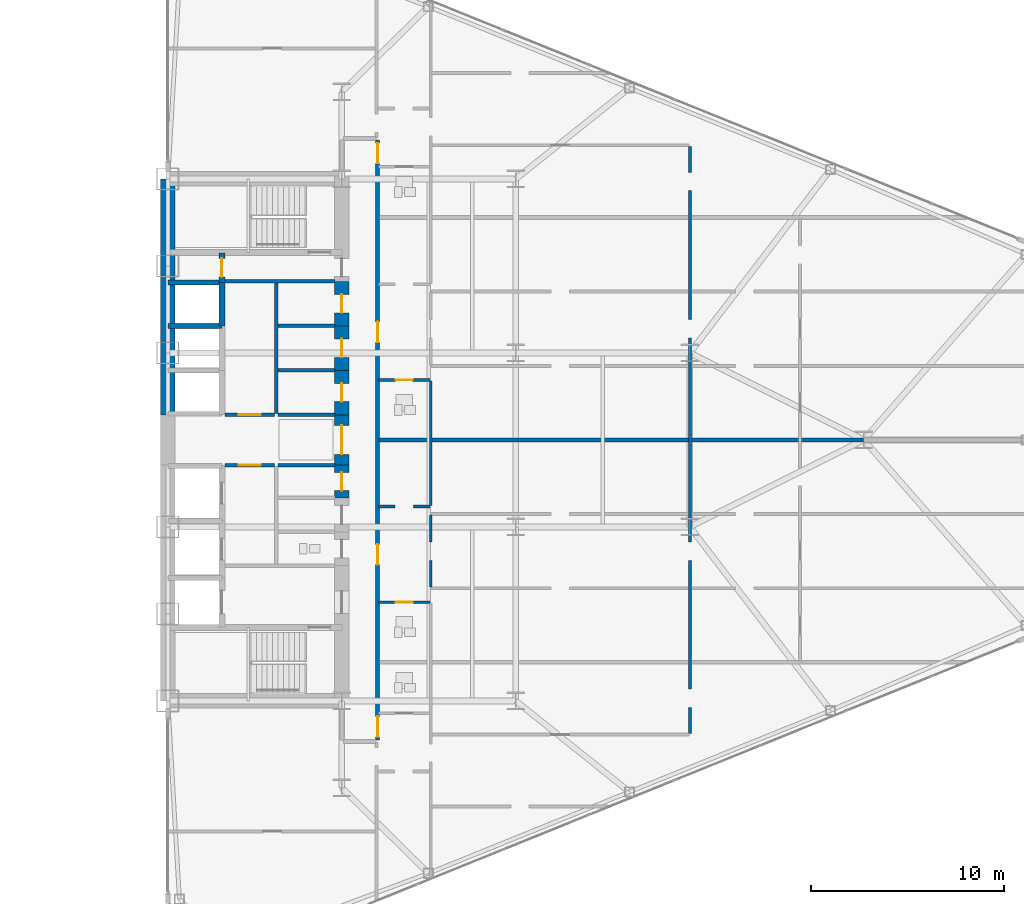
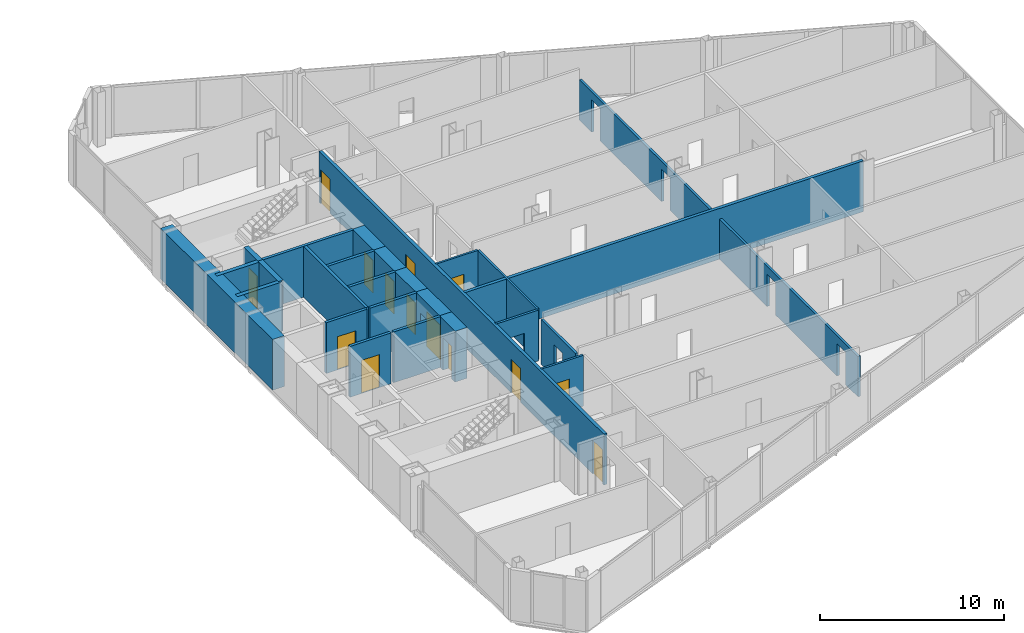
# One storey, part 21 of 25: 26 walls, 14 doors, 20 openings.
"""IFC4 building model written with IfcOpenShell, lengths in metres."""

from ifc_helpers import new_model, si_unit, direction, frame, frame_2d, origin, place, context, subcontext, project, spatial, rectangle, extrude, source, transform, mapped, material, layer, layer_set, type_object, type_shapes, element, fill, save


model = new_model("IFC4")

# Units and contexts
model_context = context("Model", 3, precision=1e-05, world=origin(), true_north=direction((0.0, 1.0)))
body_context = subcontext(model_context, "Body", "Model", "MODEL_VIEW")
ifc_project = project(units=[si_unit("LENGTHUNIT", "METRE"), si_unit("AREAUNIT", "SQUARE_METRE"), si_unit("VOLUMEUNIT", "CUBIC_METRE"), si_unit("PLANEANGLEUNIT", "RADIAN"), si_unit("MASSUNIT", "GRAM", prefix="KILO")], contexts=[model_context])

# Site, building, storey
site_placement = place(None, origin())
site = spatial("IfcSite", under=ifc_project, at=site_placement, CompositionType="ELEMENT")
building_placement = place(site_placement, origin())
building = spatial("IfcBuilding", under=site, at=building_placement, Name="Seokmaru Belvedere", CompositionType="ELEMENT")
storey_placement = place(building_placement, frame((0.0, 0.0, 36.89990234375)))
storey = spatial("IfcBuildingStorey", under=building, at=storey_placement, Name="L09", CompositionType="ELEMENT", Elevation=36.89990234375)

# Wall, opening
ifc_material_1 = material(Name="Fire-Rated Gypsum Shaftwall")
ifc_layer_1 = layer(ifc_material_1, 0.14990234375)
ifc_layer_set_1 = layer_set([ifc_layer_1], Name="Fire-Rated Gypsum Shaftwall")
wall_type_1 = type_object("IfcWallType", Name="Apartment Fire-Acoustic Room Partition 150", PredefinedType="PARTITIONING", material=ifc_layer_set_1)
wall_1_placement = place(storey_placement, frame((38.39990234375, -3.449951171875, 0.0), z_axis=(0.0, 0.0, 1.0), x_axis=(1.0, 0.0, 0.0)))
wall_1 = element("IfcWall", 1, at=wall_1_placement, inside=storey, type_object=wall_type_1, Name="L09 Interior Partition 021", PredefinedType="PARTITIONING", context=body_context, shape_type="SweptSolid", body=[
    extrude(rectangle(XDim=2.650146484375, YDim=0.14990234375, at=frame_2d((1.3251953125, 0.0))), origin(), (0.0, 0.0, 1.0), 3.380126953125),
])
opening_1_placement = place(wall_1_placement, frame((0.85009765625, 0.0, 0.0)))
element("IfcOpeningElement", 2, at=opening_1_placement, cuts=wall_1, Name="L09 Cased Opening 051", PredefinedType="OPENING", context=body_context, shape_type="SweptSolid", body=[
    extrude(rectangle(XDim=0.949951171875, YDim=2.14990234375, at=frame_2d((0.47509765625, 1.074951171875))), frame((0.0, 0.0849609375, 0.0), z_axis=(0.0, -1.0, 0.0), x_axis=(1.0, 0.0, 0.0)), (0.0, 0.0, 1.0), 0.169921875),
])

wall_2_placement = place(storey_placement, frame((41.10009765625, -7.616943359375, 0.0), z_axis=(0.0, 0.0, 1.0), x_axis=(0.0, 1.0, 0.0)))
wall_2 = element("IfcWall", 3, at=wall_2_placement, inside=storey, type_object=wall_type_1, Name="L09 Interior Partition 063", PredefinedType="PARTITIONING", context=body_context, shape_type="SweptSolid", body=[
    extrude(rectangle(XDim=3.73388671875, YDim=0.14990234375, at=frame_2d((1.866943359375, 0.0))), origin(), (0.0, 0.0, 1.0), 2.989990234375),
])
opening_2_placement = place(wall_2_placement, frame((1.39208984375, 0.0, 0.0)))
element("IfcOpeningElement", 4, at=opening_2_placement, cuts=wall_2, Name="L09 Cased Opening 052", PredefinedType="OPENING", context=body_context, shape_type="SweptSolid", body=[
    extrude(rectangle(XDim=0.949951171875, YDim=2.14990234375, at=frame_2d((0.47509765625, 1.074951171875))), frame((0.0, 0.0849609375, 0.0), z_axis=(0.0, -1.0, 0.0), x_axis=(1.0, 0.0, 0.0)), (0.0, 0.0, 1.0), 0.169921875),
])

# Wall, openings
wall_3_placement = place(storey_placement, frame((54.5, -15.18603515625, 0.0), z_axis=(0.0, 0.0, 1.0), x_axis=(0.0, 1.0, 0.0)))
wall_3 = element("IfcWall", 5, at=wall_3_placement, inside=storey, type_object=wall_type_1, Name="L09 Interior Partition 067", PredefinedType="PARTITIONING", context=body_context, shape_type="SweptSolid", body=[
    extrude(rectangle(XDim=30.3720703125, YDim=0.14990234375, at=frame_2d((15.18603515625, 0.0))), origin(), (0.0, 0.0, 1.0), 2.68017578125),
])
opening_3_placement = place(wall_3_placement, frame((1.3427734375, 0.0, 0.0)))
element("IfcOpeningElement", 6, at=opening_3_placement, cuts=wall_3, Name="L09 Cased Opening 048", PredefinedType="OPENING", context=body_context, shape_type="SweptSolid", body=[
    extrude(rectangle(XDim=0.949951171875, YDim=2.14990234375, at=frame_2d((0.47509765625, 1.074951171875))), frame((0.0, 0.0849609375, 0.0), z_axis=(0.0, -1.0, 0.0), x_axis=(1.0, 0.0, 0.0)), (0.0, 0.0, 1.0), 0.169921875),
])
opening_4_placement = place(wall_3_placement, frame((8.9609375, 0.0, 0.0)))
element("IfcOpeningElement", 7, at=opening_4_placement, cuts=wall_3, Name="L09 Cased Opening 053", PredefinedType="OPENING", context=body_context, shape_type="SweptSolid", body=[
    extrude(rectangle(XDim=0.949951171875, YDim=2.14990234375, at=frame_2d((0.47509765625, 1.074951171875))), frame((0.0, 0.0849609375, 0.0), z_axis=(0.0, -1.0, 0.0), x_axis=(1.0, 0.0, 0.0)), (0.0, 0.0, 1.0), 0.169921875),
])
opening_5_placement = place(wall_3_placement, frame((20.4609375, 0.0, 0.0)))
element("IfcOpeningElement", 8, at=opening_5_placement, cuts=wall_3, Name="L09 Cased Opening 065", PredefinedType="OPENING", context=body_context, shape_type="SweptSolid", body=[
    extrude(rectangle(XDim=0.949951171875, YDim=2.14990234375, at=frame_2d((0.47509765625, 1.074951171875))), frame((0.0, 0.0849609375, 0.0), z_axis=(0.0, -1.0, 0.0), x_axis=(1.0, 0.0, 0.0)), (0.0, 0.0, 1.0), 0.169921875),
])
opening_6_placement = place(wall_3_placement, frame((28.0791015625, 0.0, 0.0)))
element("IfcOpeningElement", 9, at=opening_6_placement, cuts=wall_3, Name="L09 Cased Opening 081", PredefinedType="OPENING", context=body_context, shape_type="SweptSolid", body=[
    extrude(rectangle(XDim=0.949951171875, YDim=2.14990234375, at=frame_2d((0.47509765625, 1.074951171875))), frame((0.0, 0.0849609375, 0.0), z_axis=(0.0, -1.0, 0.0), x_axis=(1.0, 0.0, 0.0)), (0.0, 0.0, 1.0), 0.169921875),
])

# Walls
ifc_layer_2 = layer(ifc_material_1, 0.179931640625)
ifc_layer_set_2 = layer_set([ifc_layer_2], Name="Fire-Rated Gypsum Shaftwall")
wall_type_2 = type_object("IfcWallType", Name="Core Service Fire Partition 180", PredefinedType="PARTITIONING", material=ifc_layer_set_2)
wall_4_placement = place(storey_placement, frame((30.449951171875, 8.199951171875, 0.0), z_axis=(0.0, 0.0, 1.0), x_axis=(1.0, 0.0, 0.0)))
element("IfcWall", 10, at=wall_4_placement, inside=storey, type_object=wall_type_2, Name="L09 East Smokeproof Vestibule Partition", PredefinedType="PARTITIONING", context=body_context, shape_type="SweptSolid", body=[
    extrude(rectangle(XDim=5.699951171875, YDim=0.179931640625, at=frame_2d((2.85009765625, 0.0))), origin(), (0.0, 0.0, 1.0), 3.380126953125),
])
wall_5_placement = place(storey_placement, frame((33.10009765625, 1.3798828125, 0.0), z_axis=(0.0, 0.0, 1.0), x_axis=(0.0, 1.0, 0.0)))
element("IfcWall", 11, at=wall_5_placement, inside=storey, type_object=wall_type_2, Name="L09 East North Core Service Back Wall", PredefinedType="PARTITIONING", context=body_context, shape_type="SweptSolid", body=[
    extrude(rectangle(XDim=6.740234375, YDim=0.179931640625, at=frame_2d((3.3701171875, 0.0))), origin(), (0.0, 0.0, 1.0), 3.380126953125),
])

# Wall, opening, door
wall_6_placement = place(storey_placement, frame((30.449951171875, -1.300048828125, 0.0), z_axis=(0.0, 0.0, 1.0), x_axis=(1.0, 0.0, 0.0)))
wall_6 = element("IfcWall", 12, at=wall_6_placement, inside=storey, type_object=wall_type_2, Name="L09 East South Lift Lobby Foyer Wall", PredefinedType="PARTITIONING", context=body_context, shape_type="SweptSolid", body=[
    extrude(rectangle(XDim=2.570068359375, YDim=0.179931640625, at=frame_2d((1.28515625, 0.0))), origin(), (0.0, 0.0, 1.0), 3.380126953125),
])
opening_7_placement = place(wall_6_placement, frame((0.7099609375, 0.0, 0.0)))
opening_7 = element("IfcOpeningElement", 13, at=opening_7_placement, cuts=wall_6, Name="Opening D02", PredefinedType="OPENING", context=body_context, shape_type="SweptSolid", body=[
    extrude(rectangle(XDim=1.14990234375, YDim=2.199951171875, at=frame_2d((0.574951171875, 1.10009765625))), frame((0.0, 0.10009765625, 0.0), z_axis=(0.0, -1.0, 0.0), x_axis=(1.0, 0.0, 0.0)), (0.0, 0.0, 1.0), 0.199951171875),
])
ifc_material_2 = material(Name="Fire-Rated Steel Leaf", Category="steel")
door_type_1 = type_object("IfcDoorType", Name="Lobby and Vestibule Fire Door 1150x2200", OperationType="NOTDEFINED", PredefinedType="DOOR", material=ifc_material_2)
shared_shape_1 = source(origin(), body_context, "Body", "SweptSolid", [
    extrude(rectangle(XDim=1.14990234375, YDim=2.199951171875, at=frame_2d((0.574951171875, 1.10009765625))), frame((0.0, 0.02490234375, 0.0), z_axis=(0.0, -1.0, 0.0), x_axis=(1.0, 0.0, 0.0)), (0.0, 0.0, 1.0), 0.050048828125),
])
type_shapes(door_type_1, [shared_shape_1])
door_1_placement = place(opening_7_placement, origin())
door_1 = element("IfcDoor", 14, at=door_1_placement, inside=storey, type_object=door_type_1, Name="L09 East South Core Foyer Door", OperationType="SINGLE_SWING_RIGHT", OverallHeight=2.199951171875, OverallWidth=1.14990234375, PredefinedType="DOOR", context=body_context, shape_type="MappedRepresentation", body=[
    mapped(shared_shape_1, transform((0.0, 0.0, 0.0), scale=1.0)),
])
fill(opening_7, door_1)

wall_7_placement = place(storey_placement, frame((30.449951171875, 1.300048828125, 0.0), z_axis=(0.0, 0.0, 1.0), x_axis=(1.0, 0.0, 0.0)))
wall_7 = element("IfcWall", 15, at=wall_7_placement, inside=storey, type_object=wall_type_2, Name="L09 East North Lift Lobby Foyer Wall", PredefinedType="PARTITIONING", context=body_context, shape_type="SweptSolid", body=[
    extrude(rectangle(XDim=2.570068359375, YDim=0.179931640625, at=frame_2d((1.28515625, 0.0))), origin(), (0.0, 0.0, 1.0), 3.380126953125),
])
opening_8_placement = place(wall_7_placement, frame((0.7099609375, 0.0, 0.0)))
opening_8 = element("IfcOpeningElement", 16, at=opening_8_placement, cuts=wall_7, Name="Opening D02", PredefinedType="OPENING", context=body_context, shape_type="SweptSolid", body=[
    extrude(rectangle(XDim=1.14990234375, YDim=2.199951171875, at=frame_2d((0.574951171875, 1.10009765625))), frame((0.0, 0.10009765625, 0.0), z_axis=(0.0, -1.0, 0.0), x_axis=(1.0, 0.0, 0.0)), (0.0, 0.0, 1.0), 0.199951171875),
])
door_2_placement = place(opening_8_placement, origin())
door_2 = element("IfcDoor", 17, at=door_2_placement, inside=storey, type_object=door_type_1, Name="L09 East North Lift Lobby Door", OperationType="SINGLE_SWING_LEFT", OverallHeight=2.199951171875, OverallWidth=1.14990234375, PredefinedType="DOOR", context=body_context, shape_type="MappedRepresentation", body=[
    mapped(shared_shape_1, transform((0.0, 0.0, 0.0), scale=1.0)),
])
fill(opening_8, door_2)

# Walls
for number, where, z_axis, x_axis, name in (
    (18, (33.199951171875, -1.300048828125, 0.0), (0.0, 0.0, 1.0), (1.0, 0.0, 0.0), "L09 East Foyer Side Wall S"),
    (19, (33.199951171875, 1.300048828125, 0.0), (0.0, 0.0, 1.0), (1.0, 0.0, 0.0), "L09 East Foyer Side Wall N"),
    (20, (33.199951171875, 3.60009765625, 0.0), (0.0, 0.0, 1.0), (1.0, 0.0, 0.0), "L09 East Core Service Partition 3"),
    (21, (33.199951171875, 5.89990234375, 0.0), (0.0, 0.0, 1.0), (1.0, 0.0, 0.0), "L09 East Core Service Partition 4"),
):
    element("IfcWall", number, at=place(storey_placement, frame(where, z_axis=z_axis, x_axis=x_axis)), inside=storey, type_object=wall_type_2, Name=name, PredefinedType="PARTITIONING", context=body_context, shape_type="SweptSolid", body=[
        extrude(rectangle(XDim=2.949951171875, YDim=0.179931640625, at=frame_2d((1.47509765625, 0.0))), origin(), (0.0, 0.0, 1.0), 3.380126953125),
    ])
ifc_material_3 = material(Name="Concrete C50 (50 MPa)", Category="concrete")
ifc_layer_3 = layer(ifc_material_3, 0.25)
ifc_layer_set_3 = layer_set([ifc_layer_3], Name="Concrete C50 (50 MPa)")
wall_type_3 = type_object("IfcWallType", Name="Hoistway Transverse Concrete Divider Wall 250", PredefinedType="SHEAR", material=ifc_layer_set_3)
for number, where, z_axis, x_axis, name in (
    (22, (27.5, 5.89990234375, 0.0), (0.0, 0.0, 1.0), (1.0, 0.0, 0.0), "L09 East Hoistway Divider Core Wall 6"),
    (23, (27.5, 8.14990234375, 0.0), (0.0, 0.0, 1.0), (1.0, 0.0, 0.0), "L09 East Hoistway Divider Core Wall 7"),
):
    element("IfcWall", number, at=place(storey_placement, frame(where, z_axis=z_axis, x_axis=x_axis)), inside=storey, type_object=wall_type_3, Name=name, PredefinedType="SHEAR", context=body_context, shape_type="SweptSolid", body=[
        extrude(rectangle(XDim=2.800048828125, YDim=0.25, at=frame_2d((1.39990234375, 0.0))), origin(), (0.0, 0.0, 1.0), 3.380126953125),
    ])
ifc_layer_4 = layer(ifc_material_1, 0.199951171875)
ifc_layer_set_4 = layer_set([ifc_layer_4], Name="Fire-Rated Gypsum Shaftwall")
wall_type_4 = type_object("IfcWallType", Name="Inter-Tenancy Fire Compartment Partition 200", PredefinedType="PARTITIONING", material=ifc_layer_set_4)
wall_8_placement = place(storey_placement, frame((38.429931640625, 0.0, 0.0), z_axis=(0.0, 0.0, 1.0), x_axis=(1.0, 0.0, 0.0)))
element("IfcWall", 24, at=wall_8_placement, inside=storey, type_object=wall_type_4, Name="L09 Interior Partition 023", PredefinedType="PARTITIONING", context=body_context, shape_type="SweptSolid", body=[
    extrude(rectangle(XDim=25.050048828125, YDim=0.199951171875, at=frame_2d((12.52490234375, 0.0))), origin(), (0.0, 0.0, 1.0), 3.380126953125),
])

# Wall, openings, doors
wall_9_placement = place(storey_placement, frame((38.35009765625, -15.514892578125, 0.0), z_axis=(0.0, 0.0, 1.0), x_axis=(0.0, 1.0, 0.0)))
wall_9 = element("IfcWall", 25, at=wall_9_placement, inside=storey, type_object=wall_type_4, Name="L09 Interior Partition 061", PredefinedType="PARTITIONING", context=body_context, shape_type="SweptSolid", body=[
    extrude(rectangle(XDim=31.02978515625, YDim=0.199951171875, at=frame_2d((15.514892578125, 0.0))), origin(), (0.0, 0.0, 1.0), 3.380126953125),
])
opening_9_placement = place(wall_9_placement, frame((0.159912109375, 0.0, 0.0)))
opening_9 = element("IfcOpeningElement", 26, at=opening_9_placement, cuts=wall_9, Name="Opening D03", PredefinedType="OPENING", context=body_context, shape_type="SweptSolid", body=[
    extrude(rectangle(XDim=1.050048828125, YDim=2.25, at=frame_2d((0.52490234375, 1.125))), frame((0.0, 0.10986328125, 0.0), z_axis=(0.0, -1.0, 0.0), x_axis=(1.0, 0.0, 0.0)), (0.0, 0.0, 1.0), 0.219970703125),
])
opening_10_placement = place(wall_9_placement, frame((9.0673828125, 0.0, 0.0)))
opening_10 = element("IfcOpeningElement", 27, at=opening_10_placement, cuts=wall_9, Name="Opening D03", PredefinedType="OPENING", context=body_context, shape_type="SweptSolid", body=[
    extrude(rectangle(XDim=1.050048828125, YDim=2.25, at=frame_2d((0.52490234375, 1.125))), frame((0.0, 0.10986328125, 0.0), z_axis=(0.0, -1.0, 0.0), x_axis=(1.0, 0.0, 0.0)), (0.0, 0.0, 1.0), 0.219970703125),
])
opening_11_placement = place(wall_9_placement, frame((20.5673828125, 0.0, 0.0)))
opening_11 = element("IfcOpeningElement", 28, at=opening_11_placement, cuts=wall_9, Name="Opening D03", PredefinedType="OPENING", context=body_context, shape_type="SweptSolid", body=[
    extrude(rectangle(XDim=1.050048828125, YDim=2.25, at=frame_2d((0.52490234375, 1.125))), frame((0.0, 0.10986328125, 0.0), z_axis=(0.0, -1.0, 0.0), x_axis=(1.0, 0.0, 0.0)), (0.0, 0.0, 1.0), 0.219970703125),
])
opening_12_placement = place(wall_9_placement, frame((29.820068359375, 0.0, 0.0)))
opening_12 = element("IfcOpeningElement", 29, at=opening_12_placement, cuts=wall_9, Name="Opening D03", PredefinedType="OPENING", context=body_context, shape_type="SweptSolid", body=[
    extrude(rectangle(XDim=1.050048828125, YDim=2.25, at=frame_2d((0.52490234375, 1.125))), frame((0.0, 0.10986328125, 0.0), z_axis=(0.0, -1.0, 0.0), x_axis=(1.0, 0.0, 0.0)), (0.0, 0.0, 1.0), 0.219970703125),
])
door_type_2 = type_object("IfcDoorType", Name="Apartment Entrance Fire Door 1050x2250", OperationType="NOTDEFINED", PredefinedType="DOOR", material=ifc_material_2)
shared_shape_2 = source(origin(), body_context, "Body", "SweptSolid", [
    extrude(rectangle(XDim=1.050048828125, YDim=2.25, at=frame_2d((0.52490234375, 1.125))), frame((0.0, 0.02490234375, 0.0), z_axis=(0.0, -1.0, 0.0), x_axis=(1.0, 0.0, 0.0)), (0.0, 0.0, 1.0), 0.050048828125),
])
type_shapes(door_type_2, [shared_shape_2])
door_3_placement = place(opening_9_placement, origin())
door_3 = element("IfcDoor", 30, at=door_3_placement, inside=storey, type_object=door_type_2, Name="L09 Interior Door 040", OperationType="SINGLE_SWING_LEFT", OverallHeight=2.25, OverallWidth=1.050048828125, PredefinedType="DOOR", context=body_context, shape_type="MappedRepresentation", body=[
    mapped(shared_shape_2, transform((0.0, 0.0, 0.0), scale=1.0)),
])
fill(opening_9, door_3)
door_4_placement = place(opening_10_placement, origin())
door_4 = element("IfcDoor", 31, at=door_4_placement, inside=storey, type_object=door_type_2, Name="L09 Interior Door 049", OperationType="SINGLE_SWING_RIGHT", OverallHeight=2.25, OverallWidth=1.050048828125, PredefinedType="DOOR", context=body_context, shape_type="MappedRepresentation", body=[
    mapped(shared_shape_2, transform((0.0, 0.0, 0.0), scale=1.0)),
])
fill(opening_10, door_4)
door_5_placement = place(opening_11_placement, origin())
door_5 = element("IfcDoor", 32, at=door_5_placement, inside=storey, type_object=door_type_2, Name="L09 Interior Door 061", OperationType="SINGLE_SWING_LEFT", OverallHeight=2.25, OverallWidth=1.050048828125, PredefinedType="DOOR", context=body_context, shape_type="MappedRepresentation", body=[
    mapped(shared_shape_2, transform((0.0, 0.0, 0.0), scale=1.0)),
])
fill(opening_11, door_5)
door_6_placement = place(opening_12_placement, origin())
door_6 = element("IfcDoor", 33, at=door_6_placement, inside=storey, type_object=door_type_2, Name="L09 Interior Door 073", OperationType="SINGLE_SWING_RIGHT", OverallHeight=2.25, OverallWidth=1.050048828125, PredefinedType="DOOR", context=body_context, shape_type="MappedRepresentation", body=[
    mapped(shared_shape_2, transform((0.0, 0.0, 0.0), scale=1.0)),
])
fill(opening_12, door_6)

# Wall
ifc_layer_5 = layer(ifc_material_3, 0.300048828125)
ifc_layer_set_5 = layer_set([ifc_layer_5], Name="Concrete C50 (50 MPa)")
wall_type_5 = type_object("IfcWallType", Name="Internal Core Stair and Hoistway Wall 300", PredefinedType="SHEAR", material=ifc_layer_set_5)
wall_10_placement = place(storey_placement, frame((30.300048828125, 5.89990234375, 0.0), z_axis=(0.0, 0.0, 1.0), x_axis=(0.0, 1.0, 0.0)))
element("IfcWall", 34, at=wall_10_placement, inside=storey, type_object=wall_type_5, Name="L09 East North Hoistway Wall OBS", PredefinedType="SHEAR", context=body_context, shape_type="SweptSolid", body=[
    extrude(rectangle(XDim=2.25, YDim=0.300048828125, at=frame_2d((1.125, 0.0))), origin(), (0.0, 0.0, 1.0), 3.380126953125),
])

# Wall, opening, door
wall_11_placement = place(storey_placement, frame((30.300048828125, 8.14990234375, 0.0), z_axis=(0.0, 0.0, 1.0), x_axis=(0.0, 1.0, 0.0)))
wall_11 = element("IfcWall", 35, at=wall_11_placement, inside=storey, type_object=wall_type_5, Name="L09 East Electrical Riser Front Wall", PredefinedType="SHEAR", context=body_context, shape_type="SweptSolid", body=[
    extrude(rectangle(XDim=1.530029296875, YDim=0.300048828125, at=frame_2d((0.76513671875, 0.0))), origin(), (0.0, 0.0, 1.0), 3.380126953125),
])
opening_13_placement = place(wall_11_placement, frame((0.284912109375, 0.0, 0.0)))
opening_13 = element("IfcOpeningElement", 36, at=opening_13_placement, cuts=wall_11, Name="Opening D04", PredefinedType="OPENING", context=body_context, shape_type="SweptSolid", body=[
    extrude(rectangle(XDim=0.949951171875, YDim=2.14990234375, at=frame_2d((0.47509765625, 1.074951171875))), frame((0.0, 0.16015625, 0.0), z_axis=(0.0, -1.0, 0.0), x_axis=(1.0, 0.0, 0.0)), (0.0, 0.0, 1.0), 0.320068359375),
])
door_type_3 = type_object("IfcDoorType", Name="Core Service Room Fire Door 950x2150", OperationType="NOTDEFINED", PredefinedType="DOOR", material=ifc_material_2)
shared_shape_3 = source(origin(), body_context, "Body", "SweptSolid", [
    extrude(rectangle(XDim=0.949951171875, YDim=2.14990234375, at=frame_2d((0.47509765625, 1.074951171875))), frame((0.0, 0.02490234375, 0.0), z_axis=(0.0, -1.0, 0.0), x_axis=(1.0, 0.0, 0.0)), (0.0, 0.0, 1.0), 0.050048828125),
])
type_shapes(door_type_3, [shared_shape_3])
door_7_placement = place(opening_13_placement, origin())
door_7 = element("IfcDoor", 37, at=door_7_placement, inside=storey, type_object=door_type_3, Name="L09 East Electrical Riser Access Door", OperationType="SINGLE_SWING_RIGHT", OverallHeight=2.14990234375, OverallWidth=0.949951171875, PredefinedType="DOOR", context=body_context, shape_type="MappedRepresentation", body=[
    mapped(shared_shape_3, transform((0.0, 0.0, 0.0), scale=1.0)),
])
fill(opening_13, door_7)

# Wall
ifc_material_4 = material(Name="Concrete C60 (60 MPa)", Category="concrete")
ifc_layer_6 = layer(ifc_material_4, 0.75)
ifc_layer_set_6 = layer_set([ifc_layer_6], Name="Concrete C60 (60 MPa)")
wall_type_6 = type_object("IfcWallType", Name="Lower Tower Reinforced Concrete Core Wall 750", PredefinedType="SHEAR", material=ifc_layer_set_6)
wall_12_placement = place(storey_placement, frame((27.5, 1.300048828125, 0.0), z_axis=(0.0, 0.0, 1.0), x_axis=(0.0, 1.0, 0.0)))
element("IfcWall", 38, at=wall_12_placement, inside=storey, type_object=wall_type_6, Name="L09 East Portal Spine Core Wall North", PredefinedType="SHEAR", context=body_context, shape_type="SweptSolid", body=[
    extrude(rectangle(XDim=12.199951171875, YDim=0.75, at=frame_2d((6.10009765625, 0.0))), origin(), (0.0, 0.0, 1.0), 3.380126953125),
])

# Wall, opening, door
wall_13_placement = place(storey_placement, frame((36.5, -1.300048828125, 0.0), z_axis=(0.0, 0.0, 1.0), x_axis=(0.0, 1.0, 0.0)))
wall_13 = element("IfcWall", 39, at=wall_13_placement, inside=storey, type_object=wall_type_6, Name="L09 East West Core Wall FOY", PredefinedType="SHEAR", context=body_context, shape_type="SweptSolid", body=[
    extrude(rectangle(XDim=2.60009765625, YDim=0.75, at=frame_2d((1.300048828125, 0.0))), origin(), (0.0, 0.0, 1.0), 3.380126953125),
])
opening_14_placement = place(wall_13_placement, frame((0.550048828125, 0.0, 0.0)))
opening_14 = element("IfcOpeningElement", 40, at=opening_14_placement, cuts=wall_13, Name="Opening D08", PredefinedType="OPENING", context=body_context, shape_type="SweptSolid", body=[
    extrude(rectangle(XDim=1.5, YDim=2.300048828125, at=frame_2d((0.75, 1.14990234375))), frame((0.0, 0.385009765625, 0.0), z_axis=(0.0, -1.0, 0.0), x_axis=(1.0, 0.0, 0.0)), (0.0, 0.0, 1.0), 0.77001953125),
])
door_type_4 = type_object("IfcDoorType", Name="Cross-Corridor Compartment Double Fire Door 1500x2300", OperationType="DOUBLE_SWING_LEFT", PredefinedType="DOOR", material=ifc_material_2)
shared_shape_4 = source(origin(), body_context, "Body", "SweptSolid", [
    extrude(rectangle(XDim=1.5, YDim=2.300048828125, at=frame_2d((0.75, 1.14990234375))), frame((0.0, 0.02490234375, 0.0), z_axis=(0.0, -1.0, 0.0), x_axis=(1.0, 0.0, 0.0)), (0.0, 0.0, 1.0), 0.050048828125),
])
type_shapes(door_type_4, [shared_shape_4])
door_8_placement = place(opening_14_placement, origin())
door_8 = element("IfcDoor", 41, at=door_8_placement, inside=storey, type_object=door_type_4, Name="L09 East Core Foyer Compartment Door", OperationType="DOUBLE_SWING_LEFT", OverallHeight=2.300048828125, OverallWidth=1.5, PredefinedType="DOOR", context=body_context, shape_type="MappedRepresentation", body=[
    mapped(shared_shape_4, transform((0.0, 0.0, 0.0), scale=1.0)),
])
fill(opening_14, door_8)

wall_14_placement = place(storey_placement, frame((36.5, -3.0, 0.0), z_axis=(0.0, 0.0, 1.0), x_axis=(0.0, 1.0, 0.0)))
wall_14 = element("IfcWall", 42, at=wall_14_placement, inside=storey, type_object=wall_type_6, Name="L09 East West Core Wall CS3", PredefinedType="SHEAR", context=body_context, shape_type="SweptSolid", body=[
    extrude(rectangle(XDim=1.699951171875, YDim=0.75, at=frame_2d((0.85009765625, 0.0))), origin(), (0.0, 0.0, 1.0), 3.380126953125),
])
opening_15_placement = place(wall_14_placement, frame((0.375, 0.0, 0.0)))
opening_15 = element("IfcOpeningElement", 43, at=opening_15_placement, cuts=wall_14, Name="Opening D04", PredefinedType="OPENING", context=body_context, shape_type="SweptSolid", body=[
    extrude(rectangle(XDim=0.949951171875, YDim=2.14990234375, at=frame_2d((0.47509765625, 1.074951171875))), frame((0.0, 0.385009765625, 0.0), z_axis=(0.0, -1.0, 0.0), x_axis=(1.0, 0.0, 0.0)), (0.0, 0.0, 1.0), 0.77001953125),
])
door_9_placement = place(opening_15_placement, origin())
door_9 = element("IfcDoor", 44, at=door_9_placement, inside=storey, type_object=door_type_3, Name="L09 East Core Service Room Door 3", OperationType="SINGLE_SWING_RIGHT", OverallHeight=2.14990234375, OverallWidth=0.949951171875, PredefinedType="DOOR", context=body_context, shape_type="MappedRepresentation", body=[
    mapped(shared_shape_3, transform((0.0, 0.0, 0.0), scale=1.0)),
])
fill(opening_15, door_9)

wall_15_placement = place(storey_placement, frame((36.5, 1.300048828125, 0.0), z_axis=(0.0, 0.0, 1.0), x_axis=(0.0, 1.0, 0.0)))
wall_15 = element("IfcWall", 45, at=wall_15_placement, inside=storey, type_object=wall_type_6, Name="L09 East West Core Wall CS4", PredefinedType="SHEAR", context=body_context, shape_type="SweptSolid", body=[
    extrude(rectangle(XDim=2.300048828125, YDim=0.75, at=frame_2d((1.14990234375, 0.0))), origin(), (0.0, 0.0, 1.0), 3.380126953125),
])
opening_16_placement = place(wall_15_placement, frame((0.675048828125, 0.0, 0.0)))
opening_16 = element("IfcOpeningElement", 46, at=opening_16_placement, cuts=wall_15, Name="Opening D04", PredefinedType="OPENING", context=body_context, shape_type="SweptSolid", body=[
    extrude(rectangle(XDim=0.949951171875, YDim=2.14990234375, at=frame_2d((0.47509765625, 1.074951171875))), frame((0.0, 0.385009765625, 0.0), z_axis=(0.0, -1.0, 0.0), x_axis=(1.0, 0.0, 0.0)), (0.0, 0.0, 1.0), 0.77001953125),
])
door_10_placement = place(opening_16_placement, origin())
door_10 = element("IfcDoor", 47, at=door_10_placement, inside=storey, type_object=door_type_3, Name="L09 East Core Service Room Door 4", OperationType="SINGLE_SWING_LEFT", OverallHeight=2.14990234375, OverallWidth=0.949951171875, PredefinedType="DOOR", context=body_context, shape_type="MappedRepresentation", body=[
    mapped(shared_shape_3, transform((0.0, 0.0, 0.0), scale=1.0)),
])
fill(opening_16, door_10)

wall_16_placement = place(storey_placement, frame((36.5, 3.60009765625, 0.0), z_axis=(0.0, 0.0, 1.0), x_axis=(0.0, 1.0, 0.0)))
wall_16 = element("IfcWall", 48, at=wall_16_placement, inside=storey, type_object=wall_type_6, Name="L09 East West Core Wall CS5", PredefinedType="SHEAR", context=body_context, shape_type="SweptSolid", body=[
    extrude(rectangle(XDim=2.2998046875, YDim=0.75, at=frame_2d((1.14990234375, 0.0))), origin(), (0.0, 0.0, 1.0), 3.380126953125),
])
opening_17_placement = place(wall_16_placement, frame((0.675048828125, 0.0, 0.0)))
opening_17 = element("IfcOpeningElement", 49, at=opening_17_placement, cuts=wall_16, Name="Opening D04", PredefinedType="OPENING", context=body_context, shape_type="SweptSolid", body=[
    extrude(rectangle(XDim=0.949951171875, YDim=2.14990234375, at=frame_2d((0.47509765625, 1.074951171875))), frame((0.0, 0.385009765625, 0.0), z_axis=(0.0, -1.0, 0.0), x_axis=(1.0, 0.0, 0.0)), (0.0, 0.0, 1.0), 0.77001953125),
])
door_11_placement = place(opening_17_placement, origin())
door_11 = element("IfcDoor", 50, at=door_11_placement, inside=storey, type_object=door_type_3, Name="L09 East Core Service Room Door 5", OperationType="SINGLE_SWING_RIGHT", OverallHeight=2.14990234375, OverallWidth=0.949951171875, PredefinedType="DOOR", context=body_context, shape_type="MappedRepresentation", body=[
    mapped(shared_shape_3, transform((0.0, 0.0, 0.0), scale=1.0)),
])
fill(opening_17, door_11)

wall_17_placement = place(storey_placement, frame((36.5, 5.89990234375, 0.0), z_axis=(0.0, 0.0, 1.0), x_axis=(0.0, 1.0, 0.0)))
wall_17 = element("IfcWall", 51, at=wall_17_placement, inside=storey, type_object=wall_type_6, Name="L09 East West Core Wall CS6", PredefinedType="SHEAR", context=body_context, shape_type="SweptSolid", body=[
    extrude(rectangle(XDim=2.300048828125, YDim=0.75, at=frame_2d((1.14990234375, 0.0))), origin(), (0.0, 0.0, 1.0), 3.380126953125),
])
opening_18_placement = place(wall_17_placement, frame((0.675048828125, 0.0, 0.0)))
opening_18 = element("IfcOpeningElement", 52, at=opening_18_placement, cuts=wall_17, Name="Opening D04", PredefinedType="OPENING", context=body_context, shape_type="SweptSolid", body=[
    extrude(rectangle(XDim=0.949951171875, YDim=2.14990234375, at=frame_2d((0.47509765625, 1.074951171875))), frame((0.0, 0.385009765625, 0.0), z_axis=(0.0, -1.0, 0.0), x_axis=(1.0, 0.0, 0.0)), (0.0, 0.0, 1.0), 0.77001953125),
])
door_12_placement = place(opening_18_placement, origin())
door_12 = element("IfcDoor", 53, at=door_12_placement, inside=storey, type_object=door_type_3, Name="L09 East Core Service Room Door 6", OperationType="SINGLE_SWING_LEFT", OverallHeight=2.14990234375, OverallWidth=0.949951171875, PredefinedType="DOOR", context=body_context, shape_type="MappedRepresentation", body=[
    mapped(shared_shape_3, transform((0.0, 0.0, 0.0), scale=1.0)),
])
fill(opening_18, door_12)

ifc_layer_7 = layer(ifc_material_1, 0.1298828125)
ifc_layer_set_7 = layer_set([ifc_layer_7], Name="Fire-Rated Gypsum Shaftwall")
wall_type_7 = type_object("IfcWallType", Name="Moisture-Resistant Fire-Rated Bathroom Partition 130", PredefinedType="PARTITIONING", material=ifc_layer_set_7)
wall_18_placement = place(storey_placement, frame((38.39990234375, -8.39990234375, 0.0), z_axis=(0.0, 0.0, 1.0), x_axis=(1.0, 0.0, 0.0)))
wall_18 = element("IfcWall", 54, at=wall_18_placement, inside=storey, type_object=wall_type_7, Name="L09 Interior Partition 015", PredefinedType="PARTITIONING", context=body_context, shape_type="SweptSolid", body=[
    extrude(rectangle(XDim=2.650146484375, YDim=0.1298828125, at=frame_2d((1.3251953125, 0.0))), origin(), (0.0, 0.0, 1.0), 3.380126953125),
])
opening_19_placement = place(wall_18_placement, frame((0.885009765625, 0.0, 0.0)))
opening_19 = element("IfcOpeningElement", 55, at=opening_19_placement, cuts=wall_18, Name="Opening D06", PredefinedType="OPENING", context=body_context, shape_type="SweptSolid", body=[
    extrude(rectangle(XDim=0.8798828125, YDim=2.10009765625, at=frame_2d((0.43994140625, 1.050048828125))), frame((0.0, 0.074951171875, 0.0), z_axis=(0.0, -1.0, 0.0), x_axis=(1.0, 0.0, 0.0)), (0.0, 0.0, 1.0), 0.14990234375),
])
ifc_material_5 = material(Name="Engineered White Oak Timber", Category="wood")
door_type_5 = type_object("IfcDoorType", Name="Bathroom and Restroom Fire-Rated Door 880x2100", OperationType="NOTDEFINED", PredefinedType="DOOR", material=ifc_material_5)
shared_shape_5 = source(origin(), body_context, "Body", "SweptSolid", [
    extrude(rectangle(XDim=0.8798828125, YDim=2.10009765625, at=frame_2d((0.43994140625, 1.050048828125))), frame((0.0, 0.02490234375, 0.0), z_axis=(0.0, -1.0, 0.0), x_axis=(1.0, 0.0, 0.0)), (0.0, 0.0, 1.0), 0.050048828125),
])
type_shapes(door_type_5, [shared_shape_5])
door_13_placement = place(opening_19_placement, origin())
door_13 = element("IfcDoor", 56, at=door_13_placement, inside=storey, type_object=door_type_5, Name="L09 Interior Door 050", OperationType="SINGLE_SWING_RIGHT", OverallHeight=2.10009765625, OverallWidth=0.8798828125, PredefinedType="DOOR", context=body_context, shape_type="MappedRepresentation", body=[
    mapped(shared_shape_5, transform((0.0, 0.0, 0.0), scale=1.0)),
])
fill(opening_19, door_13)

wall_19_placement = place(storey_placement, frame((38.39990234375, 3.10009765625, 0.0), z_axis=(0.0, 0.0, 1.0), x_axis=(1.0, 0.0, 0.0)))
wall_19 = element("IfcWall", 57, at=wall_19_placement, inside=storey, type_object=wall_type_7, Name="L09 Interior Partition 026", PredefinedType="PARTITIONING", context=body_context, shape_type="SweptSolid", body=[
    extrude(rectangle(XDim=2.650146484375, YDim=0.1298828125, at=frame_2d((1.3251953125, 0.0))), origin(), (0.0, 0.0, 1.0), 3.380126953125),
])
opening_20_placement = place(wall_19_placement, frame((0.885009765625, 0.0, 0.0)))
opening_20 = element("IfcOpeningElement", 58, at=opening_20_placement, cuts=wall_19, Name="Opening D06", PredefinedType="OPENING", context=body_context, shape_type="SweptSolid", body=[
    extrude(rectangle(XDim=0.8798828125, YDim=2.10009765625, at=frame_2d((0.43994140625, 1.050048828125))), frame((0.0, 0.074951171875, 0.0), z_axis=(0.0, -1.0, 0.0), x_axis=(1.0, 0.0, 0.0)), (0.0, 0.0, 1.0), 0.14990234375),
])
door_14_placement = place(opening_20_placement, origin())
door_14 = element("IfcDoor", 59, at=door_14_placement, inside=storey, type_object=door_type_5, Name="L09 Interior Door 062", OperationType="SINGLE_SWING_RIGHT", OverallHeight=2.10009765625, OverallWidth=0.8798828125, PredefinedType="DOOR", context=body_context, shape_type="MappedRepresentation", body=[
    mapped(shared_shape_5, transform((0.0, 0.0, 0.0), scale=1.0)),
])
fill(opening_20, door_14)

# Wall
wall_20_placement = place(storey_placement, frame((41.10009765625, -3.39794921875, 0.0), z_axis=(0.0, 0.0, 1.0), x_axis=(0.0, 1.0, 0.0)))
element("IfcWall", 60, at=wall_20_placement, inside=storey, type_object=wall_type_7, Name="L09 Interior Partition 064", PredefinedType="PARTITIONING", context=body_context, shape_type="SweptSolid", body=[
    extrude(rectangle(XDim=6.450927734375, YDim=0.1298828125, at=frame_2d((3.2255859375, 0.0))), origin(), (0.0, 0.0, 1.0), 3.380126953125),
])

save(model, "model.ifc")
